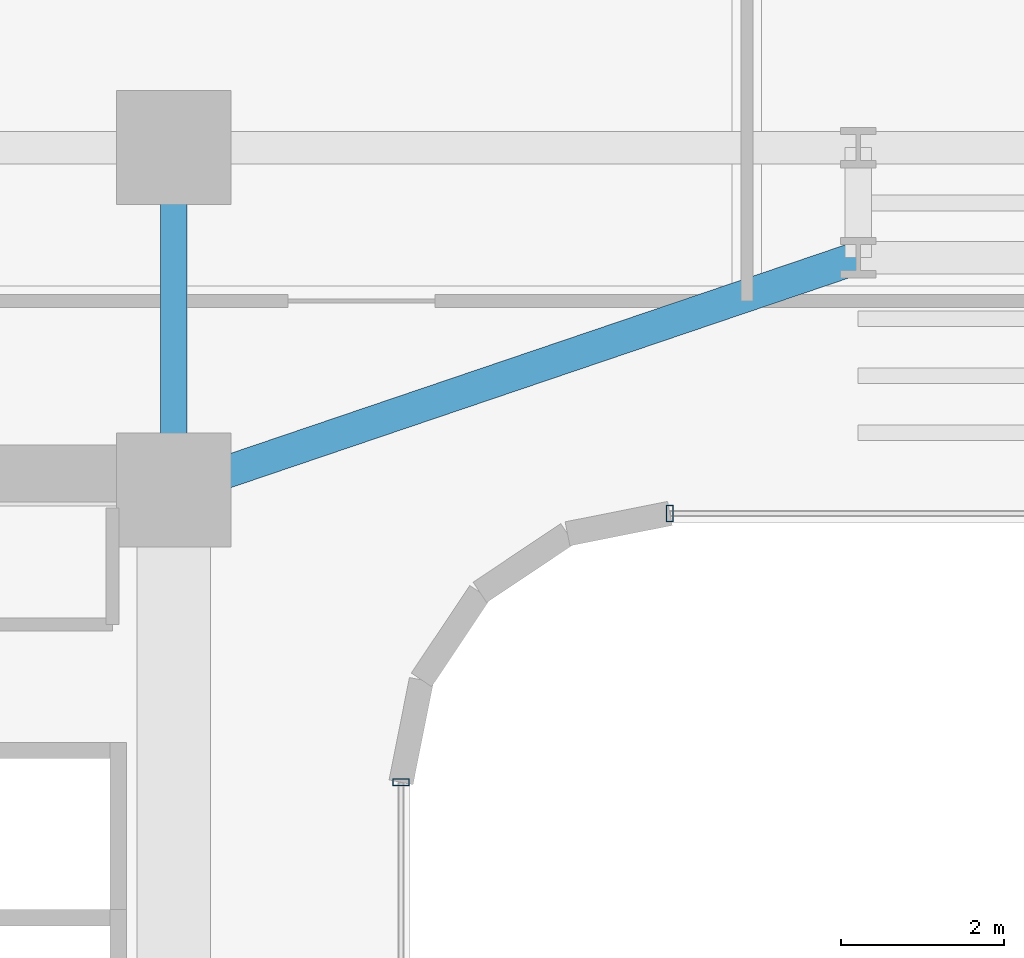
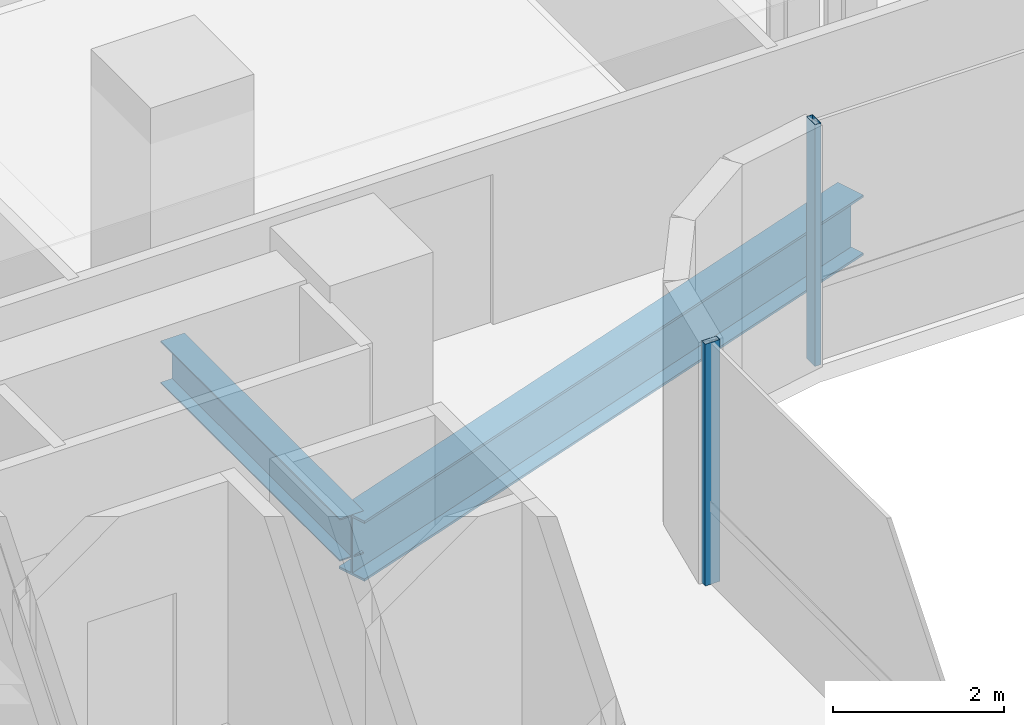
# One storey, part 13 of 40: 2 beams, 2 members, 2 elements without a shape of their own.
"""IFC4 building model written with IfcOpenShell, lengths in metres."""

from ifc_helpers import new_model, si_unit, direction, frame, origin, origin_2d, place, context, subcontext, project, spatial, hollow_rectangle, i_section, extrude, source, transform, mapped, material, material_profile, profile_set, type_object, element, aggregate, save


model = new_model("IFC4")

# Units and contexts
model_context = context("Model", 3, precision=1e-05, world=origin(), true_north=direction((0.0, 1.0)))
body_context = subcontext(model_context, "Body", "Model", "MODEL_VIEW")
ifc_project = project(units=[si_unit("LENGTHUNIT", "METRE"), si_unit("AREAUNIT", "SQUARE_METRE"), si_unit("VOLUMEUNIT", "CUBIC_METRE"), si_unit("PLANEANGLEUNIT", "RADIAN"), si_unit("MASSUNIT", "GRAM", prefix="KILO")], contexts=[model_context])

# Site, building, storey
site_placement = place(None, origin())
site = spatial("IfcSite", under=ifc_project, at=site_placement, CompositionType="ELEMENT")
building_placement = place(site_placement, origin())
building = spatial("IfcBuilding", under=site, at=building_placement, Name="Valdorenza Pilgrim Sanctuary Tower", CompositionType="ELEMENT")
storey_placement = place(building_placement, frame((0.0, 0.0, 81.5)))
storey = spatial("IfcBuildingStorey", under=building, at=storey_placement, Name="L20", CompositionType="ELEMENT", Elevation=81.5)

# Beams
ifc_material_1 = material(Name="Steel ASTM A992 Grade 50", Category="steel")
ifc_material_profile_1 = material_profile(ifc_material_1, i_section(OverallWidth=0.323974609375, OverallDepth=0.611083984375, WebThickness=0.0126953125, FlangeThickness=0.01904296875, at=origin_2d()), Name="W24X104")
ifc_profile_set_1 = profile_set([ifc_material_profile_1], Name="Steel ASTM A992 Grade 50")
beam_type_1 = type_object("IfcBeamType", Name="STR-BM-GRD-W24B", PredefinedType="BEAM", material=ifc_profile_set_1)
shared_shape_1 = source(origin(), body_context, "Body", "SweptSolid", [
    extrude(i_section(OverallWidth=0.323974609375, OverallDepth=0.611083984375, WebThickness=0.0126953125, FlangeThickness=0.01904296875, at=origin_2d()), origin(), (0.0, 0.0, 1.0), 4.199951171875),
])
beam_1_placement = place(storey_placement, frame((-12.39990234375, 10.60009765625, -0.54541015625), z_axis=(0.0, 1.0, 0.0), x_axis=(-1.0, 0.0, 0.0)))
element("IfcBeam", 1, at=beam_1_placement, inside=storey, type_object=beam_type_1, Name="L20 Core Tie Girder CA-E-N1N2", PredefinedType="BEAM", context=body_context, shape_type="MappedRepresentation", body=[
    mapped(shared_shape_1, transform((0.0, 0.0, 0.0), x_axis=(1.0, 0.0, 0.0), y_axis=(0.0, 1.0, 0.0), z_axis=(0.0, 0.0, 1.0), scale=1.0)),
])
ifc_material_profile_2 = material_profile(ifc_material_1, i_section(OverallWidth=0.39990234375, OverallDepth=0.862060546875, WebThickness=0.019775390625, FlangeThickness=0.032470703125, at=origin_2d()), Name="W33X221")
ifc_profile_set_2 = profile_set([ifc_material_profile_2], Name="Steel ASTM A992 Grade 50")
beam_type_2 = type_object("IfcBeamType", Name="STR-BM-GRD-W33", PredefinedType="BEAM", material=ifc_profile_set_2)
shared_shape_2 = source(origin(), body_context, "Body", "SweptSolid", [
    extrude(i_section(OverallWidth=0.39990234375, OverallDepth=0.862060546875, WebThickness=0.019775390625, FlangeThickness=0.032470703125, at=origin_2d()), origin(), (0.0, 0.0, 1.0), 8.8701171875),
])
beam_2_placement = place(storey_placement, frame((-12.39990234375, 10.60009765625, -0.6708984375), z_axis=(0.946982588361, 0.321284885018, 0.0), x_axis=(-0.321284885018, 0.946982588361, 0.0)))
element("IfcBeam", 2, at=beam_2_placement, inside=storey, type_object=beam_type_2, Name="L20 Floor Girder KNK-G1", PredefinedType="BEAM", context=body_context, shape_type="MappedRepresentation", body=[
    mapped(shared_shape_2, transform((0.0, 0.0, 0.0), x_axis=(1.0, 0.0, 0.0), y_axis=(0.0, 1.0, 0.0), z_axis=(0.0, 0.0, 1.0), scale=1.0)),
])

# Curtain wall, member
ifc_material_2 = material(Name="Curtain-wall IGU glazing", Category="glass")
curtain_wall_type = type_object("IfcCurtainWallType", Name="CW-SYS-02", PredefinedType="NOTDEFINED", material=ifc_material_2)
curtain_wall_1_placement = place(storey_placement, origin())
curtain_wall_1 = element("IfcCurtainWall", 3, at=curtain_wall_1_placement, inside=storey, type_object=curtain_wall_type, Name="L20 Curtain Wall CW-L20-1-36", PredefinedType="NOTDEFINED")
ifc_material_3 = material(Name="Anodised aluminium AW-6060", Category="aluminium")
ifc_material_profile_3 = material_profile(ifc_material_3, hollow_rectangle(XDim=0.0849609375, YDim=0.199951171875, WallThickness=0.0048828125, at=origin_2d()), Name="ALU-M 200x85x5")
ifc_profile_set_3 = profile_set([ifc_material_profile_3], Name="Anodised aluminium AW-6060")
member_type = type_object("IfcMemberType", Name="CW-MUL-02", PredefinedType="MULLION", material=ifc_profile_set_3)
shared_shape_3 = source(origin(), body_context, "Body", "SweptSolid", [
    extrude(hollow_rectangle(XDim=0.0849609375, YDim=0.199951171875, WallThickness=0.0048828125, at=origin_2d()), origin(), (0.0, 0.0, 1.0), 3.4599609375),
])
member_1_placement = place(storey_placement, frame((-6.310791015625, 10.31005859375, 0.0), z_axis=(0.0, 0.0, 1.0), x_axis=(-1.0, 0.0, 0.0)))
member_1 = element("IfcMember", 4, at=member_1_placement, type_object=member_type, Name="CW-L20-1-36 Mullion 4", PredefinedType="MULLION", context=body_context, shape_type="MappedRepresentation", body=[
    mapped(shared_shape_3, transform((0.0, 0.0, 0.0), x_axis=(1.0, 0.0, 0.0), y_axis=(0.0, 1.0, 0.0), z_axis=(0.0, 0.0, 1.0), scale=1.0)),
])
aggregate(curtain_wall_1, [member_1])

curtain_wall_2_placement = place(storey_placement, origin())
curtain_wall_2 = element("IfcCurtainWall", 5, at=curtain_wall_2_placement, inside=storey, type_object=curtain_wall_type, Name="L20 Curtain Wall CW-L20-1-41", PredefinedType="NOTDEFINED")
member_2_placement = place(storey_placement, frame((-9.610107421875, 7.0107421875, 0.0), z_axis=(0.0, 0.0, 1.0), x_axis=(0.0, -1.0, 0.0)))
member_2 = element("IfcMember", 6, at=member_2_placement, type_object=member_type, Name="CW-L20-1-41 Mullion 1", PredefinedType="MULLION", context=body_context, shape_type="MappedRepresentation", body=[
    mapped(shared_shape_3, transform((0.0, 0.0, 0.0), x_axis=(1.0, 0.0, 0.0), y_axis=(0.0, 1.0, 0.0), z_axis=(0.0, 0.0, 1.0), scale=1.0)),
])
aggregate(curtain_wall_2, [member_2])

save(model, "model.ifc")
